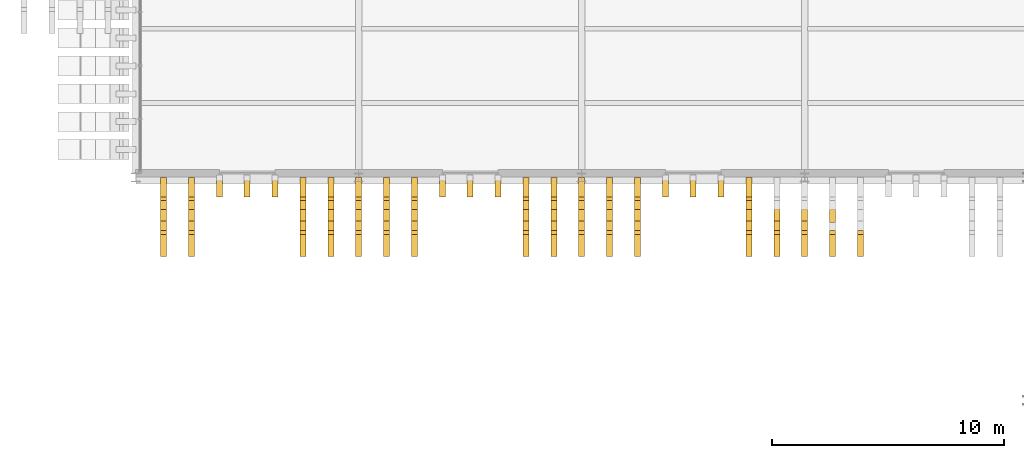
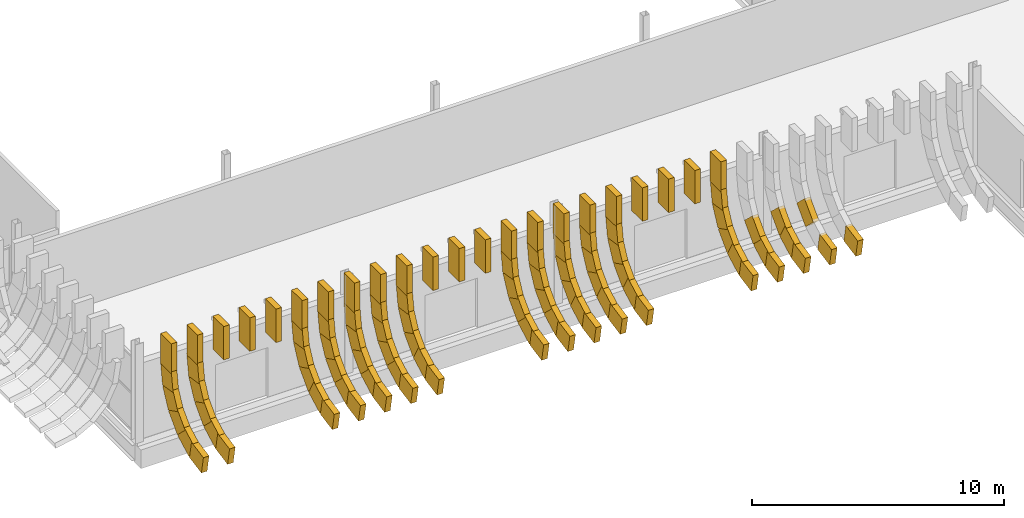
# One storey, part 65 of 100: 96 coverings.
"""IFC4 building model written with IfcOpenShell, lengths in metres."""

from ifc_helpers import new_model, si_unit, direction, frame, origin, origin_2d, place, context, subcontext, project, spatial, rectangle, extrude, material, material_profile, profile_set, type_object, element, save


model = new_model("IFC4")

# Units and contexts
model_context = context("Model", 3, precision=1e-05, world=origin(), true_north=direction((0.0, 1.0)))
body_context = subcontext(model_context, "Body", "Model", "MODEL_VIEW")
ifc_project = project(units=[si_unit("LENGTHUNIT", "METRE"), si_unit("AREAUNIT", "SQUARE_METRE"), si_unit("VOLUMEUNIT", "CUBIC_METRE"), si_unit("PLANEANGLEUNIT", "RADIAN"), si_unit("MASSUNIT", "GRAM", prefix="KILO")], contexts=[model_context])

# Site, building, storey
site_placement = place(None, origin())
site = spatial("IfcSite", under=ifc_project, at=site_placement, CompositionType="ELEMENT")
building_placement = place(site_placement, origin())
building = spatial("IfcBuilding", under=site, at=building_placement, Name="Caelomonte Colonnade Arena", CompositionType="ELEMENT")
storey_placement = place(building_placement, origin())
storey = spatial("IfcBuildingStorey", under=building, at=storey_placement, Name="L00", CompositionType="ELEMENT", Elevation=0.0)

# Coverings
ifc_material = material(Name="Precast travertine cladding", Category="masonry")
ifc_material_profile = material_profile(ifc_material, rectangle(XDim=0.260009765625, YDim=0.85009765625, at=origin_2d()), Name="FIN260X850")
ifc_profile_set = profile_set([ifc_material_profile], Name="Precast travertine cladding")
covering_type = type_object("IfcCoveringType", Name="ENV-FN-SKIRT", PredefinedType="CLADDING", material=ifc_profile_set)
covering_1_placement = place(storey_placement, frame((10.800048828125, 28.37890625, 3.360107421875), z_axis=(0.0, 0.0, 1.0), x_axis=(-1.0, 0.0, 0.0)))
element("IfcCovering", 1, at=covering_1_placement, inside=storey, type_object=covering_type, Name="V5 L00 upper classical fin stem 54", PredefinedType="CLADDING", context=body_context, shape_type="SweptSolid", body=[
    extrude(rectangle(XDim=0.260009765625, YDim=0.85009765625, at=origin_2d()), origin(), (0.0, 0.0, 1.0), 1.4599609375),
])
for number, where, z_axis, x_axis, name in (
    (2, (10.800048828125, 28.385986328125, 3.474609375), (0.0, -0.153076342973, -0.988214366027), (-1.0, 0.0, 0.0), "V5 L00 splayed classical fin skirt chord 1 (54)"),
    (3, (10.800048828125, 28.258544921875, 2.563232421875), (0.0, -0.444692864571, -0.89568312265), (-1.0, 0.0, 0.0), "V5 L00 splayed classical fin skirt chord 2 (54)"),
    (4, (10.800048828125, 27.86181640625, 1.733154296875), (0.0, -0.694646381209, -0.71935137803), (-1.0, 0.0, 0.0), "V5 L00 splayed classical fin skirt chord 3 (54)"),
    (5, (10.800048828125, 27.232421875, 1.061767578125), (0.0, -0.879731158529, -0.475471438379), (-1.0, 0.0, 0.0), "V5 L00 splayed classical fin skirt chord 4 (54)"),
):
    element("IfcCovering", number, at=place(storey_placement, frame(where, z_axis=z_axis, x_axis=x_axis)), inside=storey, type_object=covering_type, Name=name, PredefinedType="CLADDING", context=body_context, shape_type="SweptSolid", body=[
        extrude(rectangle(XDim=0.260009765625, YDim=0.85009765625, at=origin_2d()), origin(), (0.0, 0.0, 1.0), 1.008056640625),
    ])
covering_2_placement = place(storey_placement, frame((10.800048828125, 26.4296875, 0.6123046875), z_axis=(0.0, -0.982296384632, -0.187333426643), x_axis=(-1.0, 0.0, 0.0)))
element("IfcCovering", 6, at=covering_2_placement, inside=storey, type_object=covering_type, Name="V5 L00 splayed classical fin skirt chord 5 (54)", PredefinedType="CLADDING", context=body_context, shape_type="SweptSolid", body=[
    extrude(rectangle(XDim=0.260009765625, YDim=0.85009765625, at=origin_2d()), origin(), (0.0, 0.0, 1.0), 0.963134765625),
])
covering_3_placement = place(storey_placement, frame((12.0, 28.37890625, 3.360107421875), z_axis=(0.0, 0.0, 1.0), x_axis=(-1.0, 0.0, 0.0)))
element("IfcCovering", 7, at=covering_3_placement, inside=storey, type_object=covering_type, Name="V5 L00 upper classical fin stem 55", PredefinedType="CLADDING", context=body_context, shape_type="SweptSolid", body=[
    extrude(rectangle(XDim=0.260009765625, YDim=0.85009765625, at=origin_2d()), origin(), (0.0, 0.0, 1.0), 1.4599609375),
])
for number, where, z_axis, x_axis, name in (
    (8, (12.0, 28.385986328125, 3.474609375), (0.0, -0.153076342973, -0.988214366027), (-1.0, 0.0, 0.0), "V5 L00 splayed classical fin skirt chord 1 (55)"),
    (9, (12.0, 28.258544921875, 2.563232421875), (0.0, -0.444692864571, -0.89568312265), (-1.0, 0.0, 0.0), "V5 L00 splayed classical fin skirt chord 2 (55)"),
    (10, (12.0, 27.86181640625, 1.733154296875), (0.0, -0.694646381209, -0.71935137803), (-1.0, 0.0, 0.0), "V5 L00 splayed classical fin skirt chord 3 (55)"),
    (11, (12.0, 27.232421875, 1.061767578125), (0.0, -0.879731158529, -0.475471438379), (-1.0, 0.0, 0.0), "V5 L00 splayed classical fin skirt chord 4 (55)"),
):
    element("IfcCovering", number, at=place(storey_placement, frame(where, z_axis=z_axis, x_axis=x_axis)), inside=storey, type_object=covering_type, Name=name, PredefinedType="CLADDING", context=body_context, shape_type="SweptSolid", body=[
        extrude(rectangle(XDim=0.260009765625, YDim=0.85009765625, at=origin_2d()), origin(), (0.0, 0.0, 1.0), 1.008056640625),
    ])
covering_4_placement = place(storey_placement, frame((12.0, 26.4296875, 0.6123046875), z_axis=(0.0, -0.982296384632, -0.187333426643), x_axis=(-1.0, 0.0, 0.0)))
element("IfcCovering", 12, at=covering_4_placement, inside=storey, type_object=covering_type, Name="V5 L00 splayed classical fin skirt chord 5 (55)", PredefinedType="CLADDING", context=body_context, shape_type="SweptSolid", body=[
    extrude(rectangle(XDim=0.260009765625, YDim=0.85009765625, at=origin_2d()), origin(), (0.0, 0.0, 1.0), 0.963134765625),
])
for number, where, z_axis, x_axis, name in (
    (13, (13.199951171875, 28.37890625, 3.199951171875), (0.0, 0.0, 1.0), (-1.0, 0.0, 0.0), "V5 L00 over-portal classical fin header 56"),
    (14, (14.39990234375, 28.37890625, 3.199951171875), (0.0, 0.0, 1.0), (-1.0, 0.0, 0.0), "V5 L00 over-portal classical fin header 57"),
    (15, (15.60009765625, 28.37890625, 3.199951171875), (0.0, 0.0, 1.0), (-1.0, 0.0, 0.0), "V5 L00 over-portal classical fin header 58"),
):
    element("IfcCovering", number, at=place(storey_placement, frame(where, z_axis=z_axis, x_axis=x_axis)), inside=storey, type_object=covering_type, Name=name, PredefinedType="CLADDING", context=body_context, shape_type="SweptSolid", body=[
        extrude(rectangle(XDim=0.260009765625, YDim=0.85009765625, at=origin_2d()), origin(), (0.0, 0.0, 1.0), 1.6201171875),
    ])
covering_5_placement = place(storey_placement, frame((16.800048828125, 28.37890625, 3.360107421875), z_axis=(0.0, 0.0, 1.0), x_axis=(-1.0, 0.0, 0.0)))
element("IfcCovering", 16, at=covering_5_placement, inside=storey, type_object=covering_type, Name="V5 L00 upper classical fin stem 59", PredefinedType="CLADDING", context=body_context, shape_type="SweptSolid", body=[
    extrude(rectangle(XDim=0.260009765625, YDim=0.85009765625, at=origin_2d()), origin(), (0.0, 0.0, 1.0), 1.4599609375),
])
for number, where, z_axis, x_axis, name in (
    (17, (16.800048828125, 28.385986328125, 3.474609375), (0.0, -0.153076342973, -0.988214366027), (-1.0, 0.0, 0.0), "V5 L00 splayed classical fin skirt chord 1 (59)"),
    (18, (16.800048828125, 28.258544921875, 2.563232421875), (0.0, -0.444692864571, -0.89568312265), (-1.0, 0.0, 0.0), "V5 L00 splayed classical fin skirt chord 2 (59)"),
    (19, (16.800048828125, 27.86181640625, 1.733154296875), (0.0, -0.694646381209, -0.71935137803), (-1.0, 0.0, 0.0), "V5 L00 splayed classical fin skirt chord 3 (59)"),
    (20, (16.800048828125, 27.232421875, 1.061767578125), (0.0, -0.879731158529, -0.475471438379), (-1.0, 0.0, 0.0), "V5 L00 splayed classical fin skirt chord 4 (59)"),
):
    element("IfcCovering", number, at=place(storey_placement, frame(where, z_axis=z_axis, x_axis=x_axis)), inside=storey, type_object=covering_type, Name=name, PredefinedType="CLADDING", context=body_context, shape_type="SweptSolid", body=[
        extrude(rectangle(XDim=0.260009765625, YDim=0.85009765625, at=origin_2d()), origin(), (0.0, 0.0, 1.0), 1.008056640625),
    ])
covering_6_placement = place(storey_placement, frame((16.800048828125, 26.4296875, 0.6123046875), z_axis=(0.0, -0.982296384632, -0.187333426643), x_axis=(-1.0, 0.0, 0.0)))
element("IfcCovering", 21, at=covering_6_placement, inside=storey, type_object=covering_type, Name="V5 L00 splayed classical fin skirt chord 5 (59)", PredefinedType="CLADDING", context=body_context, shape_type="SweptSolid", body=[
    extrude(rectangle(XDim=0.260009765625, YDim=0.85009765625, at=origin_2d()), origin(), (0.0, 0.0, 1.0), 0.963134765625),
])
covering_7_placement = place(storey_placement, frame((18.0, 28.37890625, 3.360107421875), z_axis=(0.0, 0.0, 1.0), x_axis=(-1.0, 0.0, 0.0)))
element("IfcCovering", 22, at=covering_7_placement, inside=storey, type_object=covering_type, Name="V5 L00 upper classical fin stem 60", PredefinedType="CLADDING", context=body_context, shape_type="SweptSolid", body=[
    extrude(rectangle(XDim=0.260009765625, YDim=0.85009765625, at=origin_2d()), origin(), (0.0, 0.0, 1.0), 1.4599609375),
])
for number, where, z_axis, x_axis, name in (
    (23, (18.0, 28.385986328125, 3.474609375), (0.0, -0.153076342973, -0.988214366027), (-1.0, 0.0, 0.0), "V5 L00 splayed classical fin skirt chord 1 (60)"),
    (24, (18.0, 28.258544921875, 2.563232421875), (0.0, -0.444692864571, -0.89568312265), (-1.0, 0.0, 0.0), "V5 L00 splayed classical fin skirt chord 2 (60)"),
    (25, (18.0, 27.86181640625, 1.733154296875), (0.0, -0.694646381209, -0.71935137803), (-1.0, 0.0, 0.0), "V5 L00 splayed classical fin skirt chord 3 (60)"),
    (26, (18.0, 27.232421875, 1.061767578125), (0.0, -0.879731158529, -0.475471438379), (-1.0, 0.0, 0.0), "V5 L00 splayed classical fin skirt chord 4 (60)"),
):
    element("IfcCovering", number, at=place(storey_placement, frame(where, z_axis=z_axis, x_axis=x_axis)), inside=storey, type_object=covering_type, Name=name, PredefinedType="CLADDING", context=body_context, shape_type="SweptSolid", body=[
        extrude(rectangle(XDim=0.260009765625, YDim=0.85009765625, at=origin_2d()), origin(), (0.0, 0.0, 1.0), 1.008056640625),
    ])
covering_8_placement = place(storey_placement, frame((18.0, 26.4296875, 0.6123046875), z_axis=(0.0, -0.982296384632, -0.187333426643), x_axis=(-1.0, 0.0, 0.0)))
element("IfcCovering", 27, at=covering_8_placement, inside=storey, type_object=covering_type, Name="V5 L00 splayed classical fin skirt chord 5 (60)", PredefinedType="CLADDING", context=body_context, shape_type="SweptSolid", body=[
    extrude(rectangle(XDim=0.260009765625, YDim=0.85009765625, at=origin_2d()), origin(), (0.0, 0.0, 1.0), 0.963134765625),
])
covering_9_placement = place(storey_placement, frame((19.199951171875, 28.37890625, 3.360107421875), z_axis=(0.0, 0.0, 1.0), x_axis=(-1.0, 0.0, 0.0)))
element("IfcCovering", 28, at=covering_9_placement, inside=storey, type_object=covering_type, Name="V5 L00 upper classical fin stem 61", PredefinedType="CLADDING", context=body_context, shape_type="SweptSolid", body=[
    extrude(rectangle(XDim=0.260009765625, YDim=0.85009765625, at=origin_2d()), origin(), (0.0, 0.0, 1.0), 1.4599609375),
])
for number, where, z_axis, x_axis, name in (
    (29, (19.199951171875, 28.385986328125, 3.474609375), (0.0, -0.153076342973, -0.988214366027), (-1.0, 0.0, 0.0), "V5 L00 splayed classical fin skirt chord 1 (61)"),
    (30, (19.199951171875, 28.258544921875, 2.563232421875), (0.0, -0.444692864571, -0.89568312265), (-1.0, 0.0, 0.0), "V5 L00 splayed classical fin skirt chord 2 (61)"),
    (31, (19.199951171875, 27.86181640625, 1.733154296875), (0.0, -0.694646381209, -0.71935137803), (-1.0, 0.0, 0.0), "V5 L00 splayed classical fin skirt chord 3 (61)"),
    (32, (19.199951171875, 27.232421875, 1.061767578125), (0.0, -0.879731158529, -0.475471438379), (-1.0, 0.0, 0.0), "V5 L00 splayed classical fin skirt chord 4 (61)"),
):
    element("IfcCovering", number, at=place(storey_placement, frame(where, z_axis=z_axis, x_axis=x_axis)), inside=storey, type_object=covering_type, Name=name, PredefinedType="CLADDING", context=body_context, shape_type="SweptSolid", body=[
        extrude(rectangle(XDim=0.260009765625, YDim=0.85009765625, at=origin_2d()), origin(), (0.0, 0.0, 1.0), 1.008056640625),
    ])
covering_10_placement = place(storey_placement, frame((19.199951171875, 26.4296875, 0.6123046875), z_axis=(0.0, -0.982296384632, -0.187333426643), x_axis=(-1.0, 0.0, 0.0)))
element("IfcCovering", 33, at=covering_10_placement, inside=storey, type_object=covering_type, Name="V5 L00 splayed classical fin skirt chord 5 (61)", PredefinedType="CLADDING", context=body_context, shape_type="SweptSolid", body=[
    extrude(rectangle(XDim=0.260009765625, YDim=0.85009765625, at=origin_2d()), origin(), (0.0, 0.0, 1.0), 0.963134765625),
])
covering_11_placement = place(storey_placement, frame((20.39990234375, 28.37890625, 3.360107421875), z_axis=(0.0, 0.0, 1.0), x_axis=(-1.0, 0.0, 0.0)))
element("IfcCovering", 34, at=covering_11_placement, inside=storey, type_object=covering_type, Name="V5 L00 upper classical fin stem 62", PredefinedType="CLADDING", context=body_context, shape_type="SweptSolid", body=[
    extrude(rectangle(XDim=0.260009765625, YDim=0.85009765625, at=origin_2d()), origin(), (0.0, 0.0, 1.0), 1.4599609375),
])
for number, where, z_axis, x_axis, name in (
    (35, (20.39990234375, 28.385986328125, 3.474609375), (0.0, -0.153076342973, -0.988214366027), (-1.0, 0.0, 0.0), "V5 L00 splayed classical fin skirt chord 1 (62)"),
    (36, (20.39990234375, 28.258544921875, 2.563232421875), (0.0, -0.444692864571, -0.89568312265), (-1.0, 0.0, 0.0), "V5 L00 splayed classical fin skirt chord 2 (62)"),
    (37, (20.39990234375, 27.86181640625, 1.733154296875), (0.0, -0.694646381209, -0.71935137803), (-1.0, 0.0, 0.0), "V5 L00 splayed classical fin skirt chord 3 (62)"),
    (38, (20.39990234375, 27.232421875, 1.061767578125), (0.0, -0.879731158529, -0.475471438379), (-1.0, 0.0, 0.0), "V5 L00 splayed classical fin skirt chord 4 (62)"),
):
    element("IfcCovering", number, at=place(storey_placement, frame(where, z_axis=z_axis, x_axis=x_axis)), inside=storey, type_object=covering_type, Name=name, PredefinedType="CLADDING", context=body_context, shape_type="SweptSolid", body=[
        extrude(rectangle(XDim=0.260009765625, YDim=0.85009765625, at=origin_2d()), origin(), (0.0, 0.0, 1.0), 1.008056640625),
    ])
covering_12_placement = place(storey_placement, frame((20.39990234375, 26.4296875, 0.6123046875), z_axis=(0.0, -0.982296384632, -0.187333426643), x_axis=(-1.0, 0.0, 0.0)))
element("IfcCovering", 39, at=covering_12_placement, inside=storey, type_object=covering_type, Name="V5 L00 splayed classical fin skirt chord 5 (62)", PredefinedType="CLADDING", context=body_context, shape_type="SweptSolid", body=[
    extrude(rectangle(XDim=0.260009765625, YDim=0.85009765625, at=origin_2d()), origin(), (0.0, 0.0, 1.0), 0.963134765625),
])
covering_13_placement = place(storey_placement, frame((21.60009765625, 28.37890625, 3.360107421875), z_axis=(0.0, 0.0, 1.0), x_axis=(-1.0, 0.0, 0.0)))
element("IfcCovering", 40, at=covering_13_placement, inside=storey, type_object=covering_type, Name="V5 L00 upper classical fin stem 63", PredefinedType="CLADDING", context=body_context, shape_type="SweptSolid", body=[
    extrude(rectangle(XDim=0.260009765625, YDim=0.85009765625, at=origin_2d()), origin(), (0.0, 0.0, 1.0), 1.4599609375),
])
for number, where, z_axis, x_axis, name in (
    (41, (21.60009765625, 28.385986328125, 3.474609375), (0.0, -0.153076342973, -0.988214366027), (-1.0, 0.0, 0.0), "V5 L00 splayed classical fin skirt chord 1 (63)"),
    (42, (21.60009765625, 28.258544921875, 2.563232421875), (0.0, -0.444692864571, -0.89568312265), (-1.0, 0.0, 0.0), "V5 L00 splayed classical fin skirt chord 2 (63)"),
    (43, (21.60009765625, 27.86181640625, 1.733154296875), (0.0, -0.694646381209, -0.71935137803), (-1.0, 0.0, 0.0), "V5 L00 splayed classical fin skirt chord 3 (63)"),
    (44, (21.60009765625, 27.232421875, 1.061767578125), (0.0, -0.879731158529, -0.475471438379), (-1.0, 0.0, 0.0), "V5 L00 splayed classical fin skirt chord 4 (63)"),
):
    element("IfcCovering", number, at=place(storey_placement, frame(where, z_axis=z_axis, x_axis=x_axis)), inside=storey, type_object=covering_type, Name=name, PredefinedType="CLADDING", context=body_context, shape_type="SweptSolid", body=[
        extrude(rectangle(XDim=0.260009765625, YDim=0.85009765625, at=origin_2d()), origin(), (0.0, 0.0, 1.0), 1.008056640625),
    ])
covering_14_placement = place(storey_placement, frame((21.60009765625, 26.4296875, 0.6123046875), z_axis=(0.0, -0.982296384632, -0.187333426643), x_axis=(-1.0, 0.0, 0.0)))
element("IfcCovering", 45, at=covering_14_placement, inside=storey, type_object=covering_type, Name="V5 L00 splayed classical fin skirt chord 5 (63)", PredefinedType="CLADDING", context=body_context, shape_type="SweptSolid", body=[
    extrude(rectangle(XDim=0.260009765625, YDim=0.85009765625, at=origin_2d()), origin(), (0.0, 0.0, 1.0), 0.963134765625),
])
for number, where, z_axis, x_axis, name in (
    (46, (22.800048828125, 28.37890625, 3.199951171875), (0.0, 0.0, 1.0), (-1.0, 0.0, 0.0), "V5 L00 over-portal classical fin header 64"),
    (47, (24.0, 28.37890625, 3.199951171875), (0.0, 0.0, 1.0), (-1.0, 0.0, 0.0), "V5 L00 over-portal classical fin header 65"),
    (48, (25.199951171875, 28.37890625, 3.199951171875), (0.0, 0.0, 1.0), (-1.0, 0.0, 0.0), "V5 L00 over-portal classical fin header 66"),
):
    element("IfcCovering", number, at=place(storey_placement, frame(where, z_axis=z_axis, x_axis=x_axis)), inside=storey, type_object=covering_type, Name=name, PredefinedType="CLADDING", context=body_context, shape_type="SweptSolid", body=[
        extrude(rectangle(XDim=0.260009765625, YDim=0.85009765625, at=origin_2d()), origin(), (0.0, 0.0, 1.0), 1.6201171875),
    ])
covering_15_placement = place(storey_placement, frame((26.39990234375, 28.37890625, 3.360107421875), z_axis=(0.0, 0.0, 1.0), x_axis=(-1.0, 0.0, 0.0)))
element("IfcCovering", 49, at=covering_15_placement, inside=storey, type_object=covering_type, Name="V5 L00 upper classical fin stem 67", PredefinedType="CLADDING", context=body_context, shape_type="SweptSolid", body=[
    extrude(rectangle(XDim=0.260009765625, YDim=0.85009765625, at=origin_2d()), origin(), (0.0, 0.0, 1.0), 1.4599609375),
])
for number, where, z_axis, x_axis, name in (
    (50, (26.39990234375, 28.385986328125, 3.474609375), (0.0, -0.153076342973, -0.988214366027), (-1.0, 0.0, 0.0), "V5 L00 splayed classical fin skirt chord 1 (67)"),
    (51, (26.39990234375, 28.258544921875, 2.563232421875), (0.0, -0.444692864571, -0.89568312265), (-1.0, 0.0, 0.0), "V5 L00 splayed classical fin skirt chord 2 (67)"),
    (52, (26.39990234375, 27.86181640625, 1.733154296875), (0.0, -0.694646381209, -0.71935137803), (-1.0, 0.0, 0.0), "V5 L00 splayed classical fin skirt chord 3 (67)"),
    (53, (26.39990234375, 27.232421875, 1.061767578125), (0.0, -0.879731158529, -0.475471438379), (-1.0, 0.0, 0.0), "V5 L00 splayed classical fin skirt chord 4 (67)"),
):
    element("IfcCovering", number, at=place(storey_placement, frame(where, z_axis=z_axis, x_axis=x_axis)), inside=storey, type_object=covering_type, Name=name, PredefinedType="CLADDING", context=body_context, shape_type="SweptSolid", body=[
        extrude(rectangle(XDim=0.260009765625, YDim=0.85009765625, at=origin_2d()), origin(), (0.0, 0.0, 1.0), 1.008056640625),
    ])
covering_16_placement = place(storey_placement, frame((26.39990234375, 26.4296875, 0.6123046875), z_axis=(0.0, -0.982296384632, -0.187333426643), x_axis=(-1.0, 0.0, 0.0)))
element("IfcCovering", 54, at=covering_16_placement, inside=storey, type_object=covering_type, Name="V5 L00 splayed classical fin skirt chord 5 (67)", PredefinedType="CLADDING", context=body_context, shape_type="SweptSolid", body=[
    extrude(rectangle(XDim=0.260009765625, YDim=0.85009765625, at=origin_2d()), origin(), (0.0, 0.0, 1.0), 0.963134765625),
])
covering_17_placement = place(storey_placement, frame((27.60009765625, 28.37890625, 3.360107421875), z_axis=(0.0, 0.0, 1.0), x_axis=(-1.0, 0.0, 0.0)))
element("IfcCovering", 55, at=covering_17_placement, inside=storey, type_object=covering_type, Name="V5 L00 upper classical fin stem 68", PredefinedType="CLADDING", context=body_context, shape_type="SweptSolid", body=[
    extrude(rectangle(XDim=0.260009765625, YDim=0.85009765625, at=origin_2d()), origin(), (0.0, 0.0, 1.0), 1.4599609375),
])
for number, where, z_axis, x_axis, name in (
    (56, (27.60009765625, 28.385986328125, 3.474609375), (0.0, -0.153076342973, -0.988214366027), (-1.0, 0.0, 0.0), "V5 L00 splayed classical fin skirt chord 1 (68)"),
    (57, (27.60009765625, 28.258544921875, 2.563232421875), (0.0, -0.444692864571, -0.89568312265), (-1.0, 0.0, 0.0), "V5 L00 splayed classical fin skirt chord 2 (68)"),
    (58, (27.60009765625, 27.86181640625, 1.733154296875), (0.0, -0.694646381209, -0.71935137803), (-1.0, 0.0, 0.0), "V5 L00 splayed classical fin skirt chord 3 (68)"),
    (59, (27.60009765625, 27.232421875, 1.061767578125), (0.0, -0.879731158529, -0.475471438379), (-1.0, 0.0, 0.0), "V5 L00 splayed classical fin skirt chord 4 (68)"),
):
    element("IfcCovering", number, at=place(storey_placement, frame(where, z_axis=z_axis, x_axis=x_axis)), inside=storey, type_object=covering_type, Name=name, PredefinedType="CLADDING", context=body_context, shape_type="SweptSolid", body=[
        extrude(rectangle(XDim=0.260009765625, YDim=0.85009765625, at=origin_2d()), origin(), (0.0, 0.0, 1.0), 1.008056640625),
    ])
covering_18_placement = place(storey_placement, frame((27.60009765625, 26.4296875, 0.6123046875), z_axis=(0.0, -0.982296384632, -0.187333426643), x_axis=(-1.0, 0.0, 0.0)))
element("IfcCovering", 60, at=covering_18_placement, inside=storey, type_object=covering_type, Name="V5 L00 splayed classical fin skirt chord 5 (68)", PredefinedType="CLADDING", context=body_context, shape_type="SweptSolid", body=[
    extrude(rectangle(XDim=0.260009765625, YDim=0.85009765625, at=origin_2d()), origin(), (0.0, 0.0, 1.0), 0.963134765625),
])
covering_19_placement = place(storey_placement, frame((28.800048828125, 28.37890625, 3.360107421875), z_axis=(0.0, 0.0, 1.0), x_axis=(-1.0, 0.0, 0.0)))
element("IfcCovering", 61, at=covering_19_placement, inside=storey, type_object=covering_type, Name="V5 L00 upper classical fin stem 69", PredefinedType="CLADDING", context=body_context, shape_type="SweptSolid", body=[
    extrude(rectangle(XDim=0.260009765625, YDim=0.85009765625, at=origin_2d()), origin(), (0.0, 0.0, 1.0), 1.4599609375),
])
for number, where, z_axis, x_axis, name in (
    (62, (28.800048828125, 28.385986328125, 3.474609375), (0.0, -0.153076342973, -0.988214366027), (-1.0, 0.0, 0.0), "V5 L00 splayed classical fin skirt chord 1 (69)"),
    (63, (28.800048828125, 28.258544921875, 2.563232421875), (0.0, -0.444692864571, -0.89568312265), (-1.0, 0.0, 0.0), "V5 L00 splayed classical fin skirt chord 2 (69)"),
    (64, (28.800048828125, 27.86181640625, 1.733154296875), (0.0, -0.694646381209, -0.71935137803), (-1.0, 0.0, 0.0), "V5 L00 splayed classical fin skirt chord 3 (69)"),
    (65, (28.800048828125, 27.232421875, 1.061767578125), (0.0, -0.879731158529, -0.475471438379), (-1.0, 0.0, 0.0), "V5 L00 splayed classical fin skirt chord 4 (69)"),
):
    element("IfcCovering", number, at=place(storey_placement, frame(where, z_axis=z_axis, x_axis=x_axis)), inside=storey, type_object=covering_type, Name=name, PredefinedType="CLADDING", context=body_context, shape_type="SweptSolid", body=[
        extrude(rectangle(XDim=0.260009765625, YDim=0.85009765625, at=origin_2d()), origin(), (0.0, 0.0, 1.0), 1.008056640625),
    ])
covering_20_placement = place(storey_placement, frame((28.800048828125, 26.4296875, 0.6123046875), z_axis=(0.0, -0.982296384632, -0.187333426643), x_axis=(-1.0, 0.0, 0.0)))
element("IfcCovering", 66, at=covering_20_placement, inside=storey, type_object=covering_type, Name="V5 L00 splayed classical fin skirt chord 5 (69)", PredefinedType="CLADDING", context=body_context, shape_type="SweptSolid", body=[
    extrude(rectangle(XDim=0.260009765625, YDim=0.85009765625, at=origin_2d()), origin(), (0.0, 0.0, 1.0), 0.963134765625),
])
covering_21_placement = place(storey_placement, frame((30.0, 28.37890625, 3.360107421875), z_axis=(0.0, 0.0, 1.0), x_axis=(-1.0, 0.0, 0.0)))
element("IfcCovering", 67, at=covering_21_placement, inside=storey, type_object=covering_type, Name="V5 L00 upper classical fin stem 70", PredefinedType="CLADDING", context=body_context, shape_type="SweptSolid", body=[
    extrude(rectangle(XDim=0.260009765625, YDim=0.85009765625, at=origin_2d()), origin(), (0.0, 0.0, 1.0), 1.4599609375),
])
for number, where, z_axis, x_axis, name in (
    (68, (30.0, 28.385986328125, 3.474609375), (0.0, -0.153076342973, -0.988214366027), (-1.0, 0.0, 0.0), "V5 L00 splayed classical fin skirt chord 1 (70)"),
    (69, (30.0, 28.258544921875, 2.563232421875), (0.0, -0.444692864571, -0.89568312265), (-1.0, 0.0, 0.0), "V5 L00 splayed classical fin skirt chord 2 (70)"),
    (70, (30.0, 27.86181640625, 1.733154296875), (0.0, -0.694646381209, -0.71935137803), (-1.0, 0.0, 0.0), "V5 L00 splayed classical fin skirt chord 3 (70)"),
    (71, (30.0, 27.232421875, 1.061767578125), (0.0, -0.879731158529, -0.475471438379), (-1.0, 0.0, 0.0), "V5 L00 splayed classical fin skirt chord 4 (70)"),
):
    element("IfcCovering", number, at=place(storey_placement, frame(where, z_axis=z_axis, x_axis=x_axis)), inside=storey, type_object=covering_type, Name=name, PredefinedType="CLADDING", context=body_context, shape_type="SweptSolid", body=[
        extrude(rectangle(XDim=0.260009765625, YDim=0.85009765625, at=origin_2d()), origin(), (0.0, 0.0, 1.0), 1.008056640625),
    ])
covering_22_placement = place(storey_placement, frame((30.0, 26.4296875, 0.6123046875), z_axis=(0.0, -0.982296384632, -0.187333426643), x_axis=(-1.0, 0.0, 0.0)))
element("IfcCovering", 72, at=covering_22_placement, inside=storey, type_object=covering_type, Name="V5 L00 splayed classical fin skirt chord 5 (70)", PredefinedType="CLADDING", context=body_context, shape_type="SweptSolid", body=[
    extrude(rectangle(XDim=0.260009765625, YDim=0.85009765625, at=origin_2d()), origin(), (0.0, 0.0, 1.0), 0.963134765625),
])
covering_23_placement = place(storey_placement, frame((31.199951171875, 28.37890625, 3.360107421875), z_axis=(0.0, 0.0, 1.0), x_axis=(-1.0, 0.0, 0.0)))
element("IfcCovering", 73, at=covering_23_placement, inside=storey, type_object=covering_type, Name="V5 L00 upper classical fin stem 71", PredefinedType="CLADDING", context=body_context, shape_type="SweptSolid", body=[
    extrude(rectangle(XDim=0.260009765625, YDim=0.85009765625, at=origin_2d()), origin(), (0.0, 0.0, 1.0), 1.4599609375),
])
for number, where, z_axis, x_axis, name in (
    (74, (31.199951171875, 28.385986328125, 3.474609375), (0.0, -0.153076342973, -0.988214366027), (-1.0, 0.0, 0.0), "V5 L00 splayed classical fin skirt chord 1 (71)"),
    (75, (31.199951171875, 28.258544921875, 2.563232421875), (0.0, -0.444692864571, -0.89568312265), (-1.0, 0.0, 0.0), "V5 L00 splayed classical fin skirt chord 2 (71)"),
    (76, (31.199951171875, 27.86181640625, 1.733154296875), (0.0, -0.694646381209, -0.71935137803), (-1.0, 0.0, 0.0), "V5 L00 splayed classical fin skirt chord 3 (71)"),
    (77, (31.199951171875, 27.232421875, 1.061767578125), (0.0, -0.879731158529, -0.475471438379), (-1.0, 0.0, 0.0), "V5 L00 splayed classical fin skirt chord 4 (71)"),
):
    element("IfcCovering", number, at=place(storey_placement, frame(where, z_axis=z_axis, x_axis=x_axis)), inside=storey, type_object=covering_type, Name=name, PredefinedType="CLADDING", context=body_context, shape_type="SweptSolid", body=[
        extrude(rectangle(XDim=0.260009765625, YDim=0.85009765625, at=origin_2d()), origin(), (0.0, 0.0, 1.0), 1.008056640625),
    ])
covering_24_placement = place(storey_placement, frame((31.199951171875, 26.4296875, 0.6123046875), z_axis=(0.0, -0.982296384632, -0.187333426643), x_axis=(-1.0, 0.0, 0.0)))
element("IfcCovering", 78, at=covering_24_placement, inside=storey, type_object=covering_type, Name="V5 L00 splayed classical fin skirt chord 5 (71)", PredefinedType="CLADDING", context=body_context, shape_type="SweptSolid", body=[
    extrude(rectangle(XDim=0.260009765625, YDim=0.85009765625, at=origin_2d()), origin(), (0.0, 0.0, 1.0), 0.963134765625),
])
for number, where, z_axis, x_axis, name in (
    (79, (32.39990234375, 28.37890625, 3.199951171875), (0.0, 0.0, 1.0), (-1.0, 0.0, 0.0), "V5 L00 over-portal classical fin header 72"),
    (80, (33.60009765625, 28.37890625, 3.199951171875), (0.0, 0.0, 1.0), (-1.0, 0.0, 0.0), "V5 L00 over-portal classical fin header 73"),
    (81, (34.800048828125, 28.37890625, 3.199951171875), (0.0, 0.0, 1.0), (-1.0, 0.0, 0.0), "V5 L00 over-portal classical fin header 74"),
):
    element("IfcCovering", number, at=place(storey_placement, frame(where, z_axis=z_axis, x_axis=x_axis)), inside=storey, type_object=covering_type, Name=name, PredefinedType="CLADDING", context=body_context, shape_type="SweptSolid", body=[
        extrude(rectangle(XDim=0.260009765625, YDim=0.85009765625, at=origin_2d()), origin(), (0.0, 0.0, 1.0), 1.6201171875),
    ])
covering_25_placement = place(storey_placement, frame((36.0, 28.37890625, 3.360107421875), z_axis=(0.0, 0.0, 1.0), x_axis=(-1.0, 0.0, 0.0)))
element("IfcCovering", 82, at=covering_25_placement, inside=storey, type_object=covering_type, Name="V5 L00 upper classical fin stem 75", PredefinedType="CLADDING", context=body_context, shape_type="SweptSolid", body=[
    extrude(rectangle(XDim=0.260009765625, YDim=0.85009765625, at=origin_2d()), origin(), (0.0, 0.0, 1.0), 1.4599609375),
])
for number, where, z_axis, x_axis, name in (
    (83, (36.0, 28.385986328125, 3.474609375), (0.0, -0.153076342973, -0.988214366027), (-1.0, 0.0, 0.0), "V5 L00 splayed classical fin skirt chord 1 (75)"),
    (84, (36.0, 28.258544921875, 2.563232421875), (0.0, -0.444692864571, -0.89568312265), (-1.0, 0.0, 0.0), "V5 L00 splayed classical fin skirt chord 2 (75)"),
    (85, (36.0, 27.86181640625, 1.733154296875), (0.0, -0.694646381209, -0.71935137803), (-1.0, 0.0, 0.0), "V5 L00 splayed classical fin skirt chord 3 (75)"),
    (86, (36.0, 27.232421875, 1.061767578125), (0.0, -0.879731158529, -0.475471438379), (-1.0, 0.0, 0.0), "V5 L00 splayed classical fin skirt chord 4 (75)"),
):
    element("IfcCovering", number, at=place(storey_placement, frame(where, z_axis=z_axis, x_axis=x_axis)), inside=storey, type_object=covering_type, Name=name, PredefinedType="CLADDING", context=body_context, shape_type="SweptSolid", body=[
        extrude(rectangle(XDim=0.260009765625, YDim=0.85009765625, at=origin_2d()), origin(), (0.0, 0.0, 1.0), 1.008056640625),
    ])
covering_26_placement = place(storey_placement, frame((36.0, 26.4296875, 0.6123046875), z_axis=(0.0, -0.982296384632, -0.187333426643), x_axis=(-1.0, 0.0, 0.0)))
element("IfcCovering", 87, at=covering_26_placement, inside=storey, type_object=covering_type, Name="V5 L00 splayed classical fin skirt chord 5 (75)", PredefinedType="CLADDING", context=body_context, shape_type="SweptSolid", body=[
    extrude(rectangle(XDim=0.260009765625, YDim=0.85009765625, at=origin_2d()), origin(), (0.0, 0.0, 1.0), 0.963134765625),
])
for number, where, z_axis, x_axis, name in (
    (88, (37.199951171875, 27.86181640625, 1.733154296875), (0.0, -0.694646381209, -0.71935137803), (-1.0, 0.0, 0.0), "V5 L00 splayed classical fin skirt chord 3 (76)"),
    (89, (37.199951171875, 27.232421875, 1.061767578125), (0.0, -0.879731158529, -0.475471438379), (-1.0, 0.0, 0.0), "V5 L00 splayed classical fin skirt chord 4 (76)"),
):
    element("IfcCovering", number, at=place(storey_placement, frame(where, z_axis=z_axis, x_axis=x_axis)), inside=storey, type_object=covering_type, Name=name, PredefinedType="CLADDING", context=body_context, shape_type="SweptSolid", body=[
        extrude(rectangle(XDim=0.260009765625, YDim=0.85009765625, at=origin_2d()), origin(), (0.0, 0.0, 1.0), 1.008056640625),
    ])
covering_27_placement = place(storey_placement, frame((37.199951171875, 26.4296875, 0.6123046875), z_axis=(0.0, -0.982296384632, -0.187333426643), x_axis=(-1.0, 0.0, 0.0)))
element("IfcCovering", 90, at=covering_27_placement, inside=storey, type_object=covering_type, Name="V5 L00 splayed classical fin skirt chord 5 (76)", PredefinedType="CLADDING", context=body_context, shape_type="SweptSolid", body=[
    extrude(rectangle(XDim=0.260009765625, YDim=0.85009765625, at=origin_2d()), origin(), (0.0, 0.0, 1.0), 0.963134765625),
])
for number, where, z_axis, x_axis, name in (
    (91, (38.39990234375, 27.86181640625, 1.733154296875), (0.0, -0.694646381209, -0.71935137803), (-1.0, 0.0, 0.0), "V5 L00 splayed classical fin skirt chord 3 (77)"),
    (92, (38.39990234375, 27.232421875, 1.061767578125), (0.0, -0.879731158529, -0.475471438379), (-1.0, 0.0, 0.0), "V5 L00 splayed classical fin skirt chord 4 (77)"),
):
    element("IfcCovering", number, at=place(storey_placement, frame(where, z_axis=z_axis, x_axis=x_axis)), inside=storey, type_object=covering_type, Name=name, PredefinedType="CLADDING", context=body_context, shape_type="SweptSolid", body=[
        extrude(rectangle(XDim=0.260009765625, YDim=0.85009765625, at=origin_2d()), origin(), (0.0, 0.0, 1.0), 1.008056640625),
    ])
covering_28_placement = place(storey_placement, frame((38.39990234375, 26.4296875, 0.6123046875), z_axis=(0.0, -0.982296384632, -0.187333426643), x_axis=(-1.0, 0.0, 0.0)))
element("IfcCovering", 93, at=covering_28_placement, inside=storey, type_object=covering_type, Name="V5 L00 splayed classical fin skirt chord 5 (77)", PredefinedType="CLADDING", context=body_context, shape_type="SweptSolid", body=[
    extrude(rectangle(XDim=0.260009765625, YDim=0.85009765625, at=origin_2d()), origin(), (0.0, 0.0, 1.0), 0.963134765625),
])
covering_29_placement = place(storey_placement, frame((39.60009765625, 27.86181640625, 1.733154296875), z_axis=(0.0, -0.694646381209, -0.71935137803), x_axis=(-1.0, 0.0, 0.0)))
element("IfcCovering", 94, at=covering_29_placement, inside=storey, type_object=covering_type, Name="V5 L00 splayed classical fin skirt chord 3 (78)", PredefinedType="CLADDING", context=body_context, shape_type="SweptSolid", body=[
    extrude(rectangle(XDim=0.260009765625, YDim=0.85009765625, at=origin_2d()), origin(), (0.0, 0.0, 1.0), 1.008056640625),
])
for number, where, z_axis, x_axis, name in (
    (95, (39.60009765625, 26.4296875, 0.6123046875), (0.0, -0.982296384632, -0.187333426643), (-1.0, 0.0, 0.0), "V5 L00 splayed classical fin skirt chord 5 (78)"),
    (96, (40.800048828125, 26.4296875, 0.6123046875), (0.0, -0.982296384632, -0.187333426643), (-1.0, 0.0, 0.0), "V5 L00 splayed classical fin skirt chord 5 (79)"),
):
    element("IfcCovering", number, at=place(storey_placement, frame(where, z_axis=z_axis, x_axis=x_axis)), inside=storey, type_object=covering_type, Name=name, PredefinedType="CLADDING", context=body_context, shape_type="SweptSolid", body=[
        extrude(rectangle(XDim=0.260009765625, YDim=0.85009765625, at=origin_2d()), origin(), (0.0, 0.0, 1.0), 0.963134765625),
    ])

save(model, "model.ifc")
